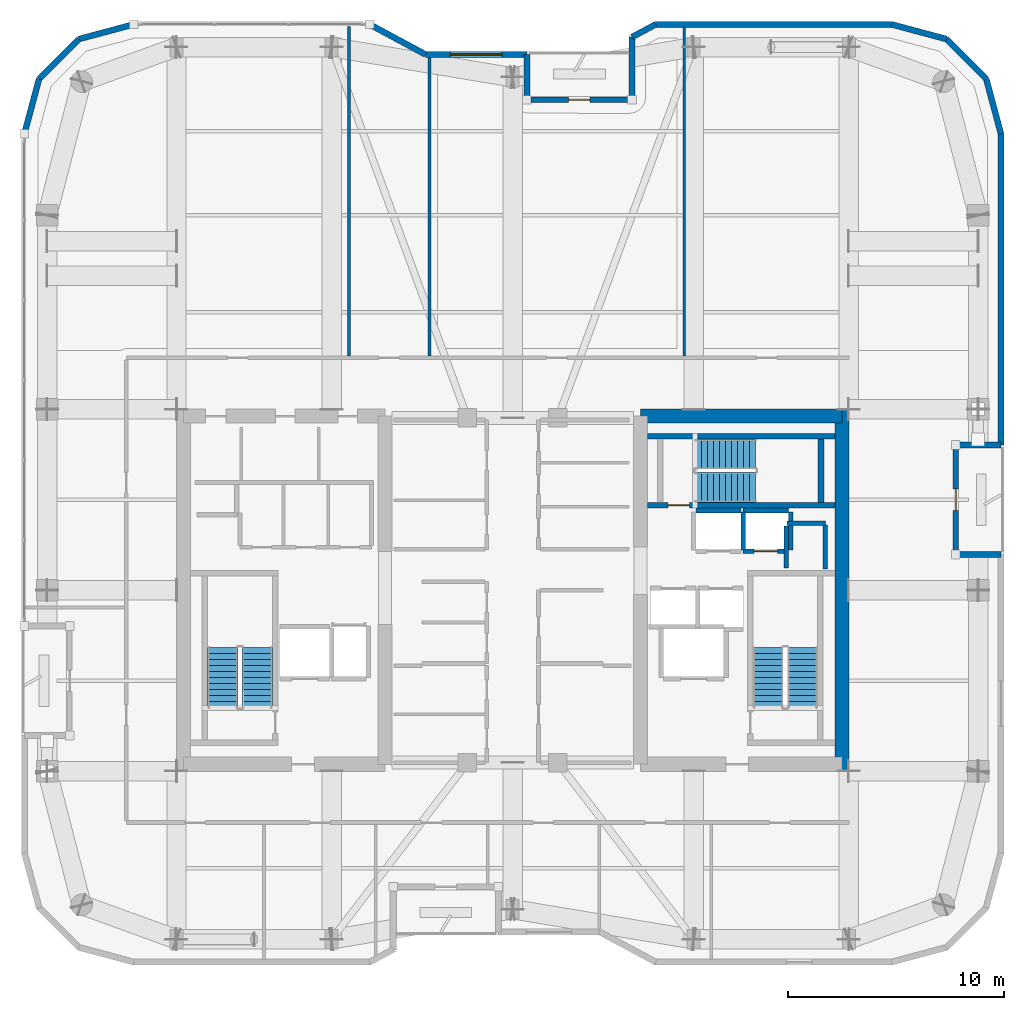
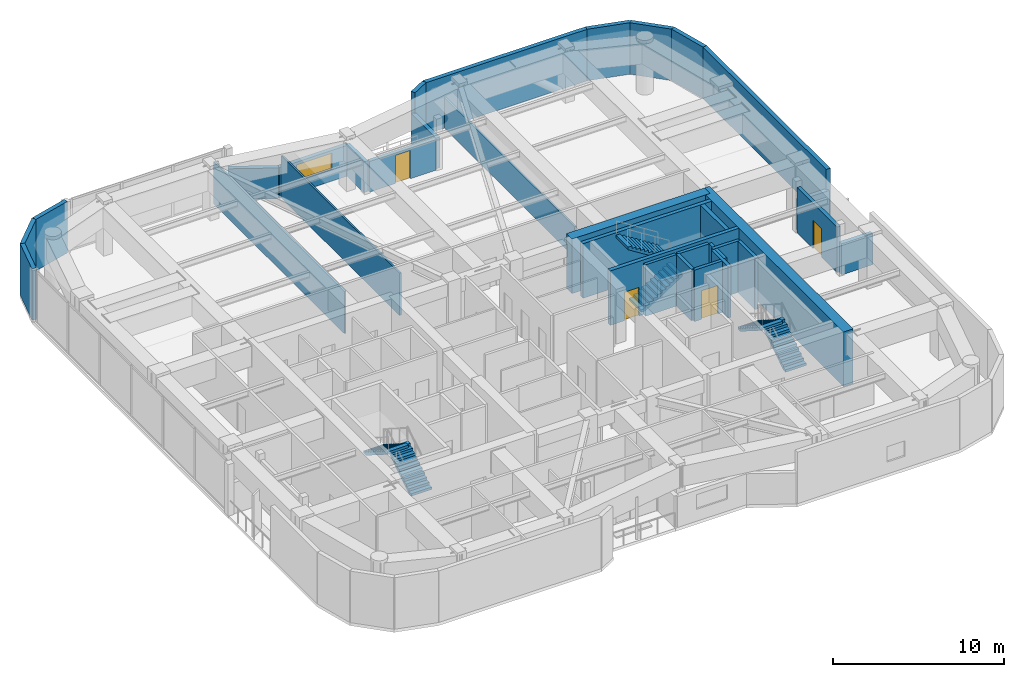
# One storey, part 18 of 21: 33 walls, 6 stair flights, 4 doors, 1 window, 5 openings, 3 elements without a shape of their own.
"""IFC4 building model written with IfcOpenShell, lengths in metres."""

from ifc_helpers import new_model, si_unit, direction, frame, frame_2d, origin, place, context, subcontext, project, spatial, polyline, rectangle, outline, extrude, material, layer, layer_set, type_object, element, fill, aggregate, save


model = new_model("IFC4")

# Units and contexts
model_context = context("Model", 3, precision=1e-05, world=origin(), true_north=direction((0.0, 1.0)))
body_context = subcontext(model_context, "Body", "Model", "MODEL_VIEW")
ifc_project = project(units=[si_unit("LENGTHUNIT", "METRE"), si_unit("AREAUNIT", "SQUARE_METRE"), si_unit("VOLUMEUNIT", "CUBIC_METRE"), si_unit("PLANEANGLEUNIT", "RADIAN"), si_unit("MASSUNIT", "GRAM", prefix="KILO")], contexts=[model_context])

# Site, building, storey
site_placement = place(None, origin())
site = spatial("IfcSite", under=ifc_project, at=site_placement, CompositionType="ELEMENT")
building_placement = place(site_placement, origin())
building = spatial("IfcBuilding", under=site, at=building_placement, Name="Kiyonajd Concourse Tower", CompositionType="ELEMENT")
storey_placement = place(building_placement, frame((0.0, 0.0, 251.10009765625)))
storey = spatial("IfcBuildingStorey", under=building, at=storey_placement, Name="L63", CompositionType="ELEMENT", Elevation=251.10009765625)

# Walls
ifc_material_1 = material(Name="Concrete C60/75", Category="concrete")
ifc_layer_1 = layer(ifc_material_1, 0.64990234375)
ifc_layer_set_1 = layer_set([ifc_layer_1], Name="Concrete C60/75")
wall_type_1 = type_object("IfcWallType", Name="WL-CORE-650", PredefinedType="SHEAR", material=ifc_layer_set_1)
wall_1_placement = place(storey_placement, frame((63.27490234375, 27.60009765625, 0.0), z_axis=(0.0, 0.0, 1.0), x_axis=(0.0, 1.0, 0.0)))
element("IfcWall", 1, at=wall_1_placement, inside=storey, type_object=wall_type_1, Name="L63 East Core Outer Shear Wall", PredefinedType="SHEAR", context=body_context, shape_type="SweptSolid", body=[
    extrude(rectangle(XDim=16.7998046875, YDim=0.64990234375, at=frame_2d((8.39990234375, 0.0))), origin(), (0.0, 0.0, 1.0), 3.89990234375),
])
wall_2_placement = place(storey_placement, frame((53.925048828125, 44.074951171875, 0.0), z_axis=(0.0, 0.0, 1.0), x_axis=(1.0, 0.0, 0.0)))
element("IfcWall", 2, at=wall_2_placement, inside=storey, type_object=wall_type_1, Name="L63 East Core North Shear Wall", PredefinedType="SHEAR", context=body_context, shape_type="SweptSolid", body=[
    extrude(rectangle(XDim=9.349853515625, YDim=0.64990234375, at=frame_2d((4.6748046875, 0.0))), origin(), (0.0, 0.0, 1.0), 3.89990234375),
])
ifc_material_2 = material(Name="Precast concrete C50/60", Category="concrete")
ifc_layer_2 = layer(ifc_material_2, 0.280029296875)
ifc_layer_set_2 = layer_set([ifc_layer_2], Name="Precast concrete C50/60")
wall_type_2 = type_object("IfcWallType", Name="WL-EXT-280", PredefinedType="SOLIDWALL", material=ifc_layer_set_2)
wall_3_placement = place(storey_placement, frame((25.340087890625, 57.181640625, 0.0), z_axis=(0.0, 0.0, 1.0), x_axis=(0.2588904131, 0.965906700466, 0.0)))
element("IfcWall", 3, at=wall_3_placement, inside=storey, type_object=wall_type_2, Name="L63 Exterior Concrete Frame Wall 06", PredefinedType="SOLIDWALL", context=body_context, shape_type="SweptSolid", body=[
    extrude(rectangle(XDim=2.6357421875, YDim=0.280029296875, at=frame_2d((1.31787109375, 0.0))), origin(), (0.0, 0.0, 1.0), 3.679931640625),
])
wall_4_placement = place(storey_placement, frame((26.0224609375, 59.7275390625, 0.0), z_axis=(0.0, 0.0, 1.0), x_axis=(0.707153437963, 0.707060121331, 0.0)))
element("IfcWall", 4, at=wall_4_placement, inside=storey, type_object=wall_type_2, Name="L63 Exterior Concrete Frame Wall 07", PredefinedType="SOLIDWALL", context=body_context, shape_type="SweptSolid", body=[
    extrude(rectangle(XDim=2.6162109375, YDim=0.280029296875, at=frame_2d((1.30810546875, 0.0))), origin(), (0.0, 0.0, 1.0), 3.679931640625),
])
wall_5_placement = place(storey_placement, frame((27.87255859375, 61.577392578125, 0.0), z_axis=(0.0, 0.0, 1.0), x_axis=(0.965883534663, 0.258976828051, 0.0)))
element("IfcWall", 5, at=wall_5_placement, inside=storey, type_object=wall_type_2, Name="L63 Exterior Concrete Frame Wall 08", PredefinedType="SOLIDWALL", context=body_context, shape_type="SweptSolid", body=[
    extrude(rectangle(XDim=2.6357421875, YDim=0.280029296875, at=frame_2d((1.31787109375, 0.0))), origin(), (0.0, 0.0, 1.0), 3.679931640625),
])
wall_6_placement = place(storey_placement, frame((41.36474609375, 62.260009765625, 0.0), z_axis=(0.0, 0.0, 1.0), x_axis=(0.880473754814, -0.474094892488, 0.0)))
element("IfcWall", 6, at=wall_6_placement, inside=storey, type_object=wall_type_2, Name="L63 Exterior Concrete Frame Wall 10", PredefinedType="SOLIDWALL", context=body_context, shape_type="SweptSolid", body=[
    extrude(rectangle(XDim=2.952880859375, YDim=0.280029296875, at=frame_2d((1.4765625, 0.0))), origin(), (0.0, 0.0, 1.0), 2.19482421875),
])

# Wall, opening, window
wall_7_placement = place(storey_placement, frame((43.964599609375, 60.860107421875, 0.0), z_axis=(0.0, 0.0, 1.0), x_axis=(1.0, 0.0, 0.0)))
wall_7 = element("IfcWall", 7, at=wall_7_placement, inside=storey, type_object=wall_type_2, Name="L63 Exterior Concrete Frame Wall 11", PredefinedType="SOLIDWALL", context=body_context, shape_type="SweptSolid", body=[
    extrude(rectangle(XDim=4.6953125, YDim=0.280029296875, at=frame_2d((2.34765625, 0.0))), origin(), (0.0, 0.0, 1.0), 2.19482421875),
])
opening_1_placement = place(wall_7_placement, frame((1.14794921875, 0.0, 0.85009765625)))
opening_1 = element("IfcOpeningElement", 8, at=opening_1_placement, cuts=wall_7, Name="Opening WN4", PredefinedType="OPENING", context=body_context, shape_type="SweptSolid", body=[
    extrude(rectangle(XDim=2.39990234375, YDim=1.14990234375, at=frame_2d((1.199951171875, 0.574951171875))), frame((0.0, 0.14990234375, 0.0), z_axis=(0.0, -1.0, 0.0), x_axis=(1.0, 0.0, 0.0)), (0.0, 0.0, 1.0), 0.300048828125),
])
ifc_material_3 = material(Name="Double Low-E Insulated Glass", Category="glass")
window_type = type_object("IfcWindowType", Name="WN-VIS-2400x1150", PartitioningType="SINGLE_PANEL", PredefinedType="WINDOW", material=ifc_material_3)
window_placement = place(opening_1_placement, origin())
window = element("IfcWindow", 9, at=window_placement, inside=storey, type_object=window_type, Name="L63 Modular Facade Vision Window 11", OverallHeight=1.14990234375, OverallWidth=2.39990234375, PartitioningType="SINGLE_PANEL", PredefinedType="WINDOW", context=body_context, shape_type="SweptSolid", body=[
    extrude(rectangle(XDim=2.39990234375, YDim=1.14990234375, at=frame_2d((1.199951171875, 0.574951171875))), frame((0.0, 0.030029296875, 0.0), z_axis=(0.0, -1.0, 0.0), x_axis=(1.0, 0.0, 0.0)), (0.0, 0.0, 1.0), 0.06005859375),
])
fill(opening_1, window)

# Walls
wall_8_placement = place(storey_placement, frame((48.659912109375, 60.860107421875, 0.0), z_axis=(0.0, 0.0, 1.0), x_axis=(0.0, -1.0, 0.0)))
element("IfcWall", 10, at=wall_8_placement, inside=storey, type_object=wall_type_2, Name="L63 Exterior Concrete Frame Wall 12", PredefinedType="SOLIDWALL", context=body_context, shape_type="SweptSolid", body=[
    extrude(rectangle(XDim=2.10009765625, YDim=0.280029296875, at=frame_2d((1.050048828125, 0.0))), origin(), (0.0, 0.0, 1.0), 2.19482421875),
])
wall_9_placement = place(storey_placement, frame((53.5400390625, 58.760009765625, 0.0), z_axis=(0.0, 0.0, 1.0), x_axis=(0.0, 1.0, 0.0)))
element("IfcWall", 11, at=wall_9_placement, inside=storey, type_object=wall_type_2, Name="L63 Exterior Concrete Frame Wall 14", PredefinedType="SOLIDWALL", context=body_context, shape_type="SweptSolid", body=[
    extrude(rectangle(XDim=2.910400390625, YDim=0.280029296875, at=frame_2d((1.455078125, 0.0))), origin(), (0.0, 0.0, 1.0), 2.19482421875),
])
wall_10_placement = place(storey_placement, frame((53.5400390625, 61.67041015625, 0.0), z_axis=(0.0, 0.0, 1.0), x_axis=(0.880515214249, 0.474017887296, 0.0)))
element("IfcWall", 12, at=wall_10_placement, inside=storey, type_object=wall_type_2, Name="L63 Exterior Concrete Frame Wall 15", PredefinedType="SOLIDWALL", context=body_context, shape_type="SweptSolid", body=[
    extrude(rectangle(XDim=1.243896484375, YDim=0.280029296875, at=frame_2d((0.6220703125, 0.0))), origin(), (0.0, 0.0, 1.0), 3.679931640625),
])
wall_11_placement = place(storey_placement, frame((54.63525390625, 62.260009765625, 0.0), z_axis=(0.0, 0.0, 1.0), x_axis=(1.0, 0.0, 0.0)))
element("IfcWall", 13, at=wall_11_placement, inside=storey, type_object=wall_type_2, Name="L63 Exterior Concrete Frame Wall 16", PredefinedType="SOLIDWALL", context=body_context, shape_type="SweptSolid", body=[
    extrude(rectangle(XDim=10.9462890625, YDim=0.280029296875, at=frame_2d((5.47314453125, 0.0))), origin(), (0.0, 0.0, 1.0), 3.679931640625),
])
wall_12_placement = place(storey_placement, frame((65.58154296875, 62.260009765625, 0.0), z_axis=(0.0, 0.0, 1.0), x_axis=(0.965883534663, -0.258976828051, 0.0)))
element("IfcWall", 14, at=wall_12_placement, inside=storey, type_object=wall_type_2, Name="L63 Exterior Concrete Frame Wall 17", PredefinedType="SOLIDWALL", context=body_context, shape_type="SweptSolid", body=[
    extrude(rectangle(XDim=2.6357421875, YDim=0.280029296875, at=frame_2d((1.31787109375, 0.0))), origin(), (0.0, 0.0, 1.0), 3.679931640625),
])
wall_13_placement = place(storey_placement, frame((68.12744140625, 61.577392578125, 0.0), z_axis=(0.0, 0.0, 1.0), x_axis=(0.707153437963, -0.707060121331, 0.0)))
element("IfcWall", 15, at=wall_13_placement, inside=storey, type_object=wall_type_2, Name="L63 Exterior Concrete Frame Wall 18", PredefinedType="SOLIDWALL", context=body_context, shape_type="SweptSolid", body=[
    extrude(rectangle(XDim=2.6162109375, YDim=0.280029296875, at=frame_2d((1.30810546875, 0.0))), origin(), (0.0, 0.0, 1.0), 3.679931640625),
])
wall_14_placement = place(storey_placement, frame((69.9775390625, 59.7275390625, 0.0), z_axis=(0.0, 0.0, 1.0), x_axis=(0.2588904131, -0.965906700466, 0.0)))
element("IfcWall", 16, at=wall_14_placement, inside=storey, type_object=wall_type_2, Name="L63 Exterior Concrete Frame Wall 19", PredefinedType="SOLIDWALL", context=body_context, shape_type="SweptSolid", body=[
    extrude(rectangle(XDim=2.6357421875, YDim=0.280029296875, at=frame_2d((1.31787109375, 0.0))), origin(), (0.0, 0.0, 1.0), 3.679931640625),
])
wall_15_placement = place(storey_placement, frame((70.659912109375, 57.181640625, 0.0), z_axis=(0.0, 0.0, 1.0), x_axis=(0.0, -1.0, 0.0)))
element("IfcWall", 17, at=wall_15_placement, inside=storey, type_object=wall_type_2, Name="L63 Exterior Concrete Frame Wall 20", PredefinedType="SOLIDWALL", context=body_context, shape_type="SweptSolid", body=[
    extrude(rectangle(XDim=14.441650390625, YDim=0.280029296875, at=frame_2d((7.220703125, 0.0))), origin(), (0.0, 0.0, 1.0), 3.679931640625),
])
for number, where, z_axis, x_axis, name in (
    (18, (70.659912109375, 42.739990234375, 0.0), (0.0, 0.0, 1.0), (-1.0, 0.0, 0.0), "L63 Exterior Concrete Frame Wall 21"),
    (19, (68.56005859375, 37.659912109375, 0.0), (0.0, 0.0, 1.0), (1.0, 0.0, 0.0), "L63 Exterior Concrete Frame Wall 23"),
):
    element("IfcWall", number, at=place(storey_placement, frame(where, z_axis=z_axis, x_axis=x_axis)), inside=storey, type_object=wall_type_2, Name=name, PredefinedType="SOLIDWALL", context=body_context, shape_type="SweptSolid", body=[
        extrude(rectangle(XDim=2.099853515625, YDim=0.280029296875, at=frame_2d((1.0498046875, 0.0))), origin(), (0.0, 0.0, 1.0), 2.21484375),
    ])

# Wall, opening, door
ifc_layer_3 = layer(ifc_material_2, 0.239990234375)
ifc_layer_set_3 = layer_set([ifc_layer_3], Name="Precast concrete C50/60")
wall_type_3 = type_object("IfcWallType", Name="WL-LOG-240", PredefinedType="SOLIDWALL", material=ifc_layer_set_3)
wall_16_placement = place(storey_placement, frame((48.85498046875, 58.760009765625, 0.0), z_axis=(0.0, 0.0, 1.0), x_axis=(1.0, 0.0, 0.0)))
wall_16 = element("IfcWall", 20, at=wall_16_placement, inside=storey, type_object=wall_type_3, Name="L63 Recessed Loggia Thermal Wall LOG-N", PredefinedType="SOLIDWALL", context=body_context, shape_type="SweptSolid", body=[
    extrude(rectangle(XDim=4.489990234375, YDim=0.239990234375, at=frame_2d((2.2451171875, 0.0))), origin(), (0.0, 0.0, 1.0), 2.19482421875),
])
opening_2_placement = place(wall_16_placement, frame((1.7451171875, 0.0, 0.0)))
opening_2 = element("IfcOpeningElement", 21, at=opening_2_placement, cuts=wall_16, Name="Opening DL1", PredefinedType="OPENING", context=body_context, shape_type="SweptSolid", body=[
    extrude(rectangle(XDim=1.0, YDim=2.02001953125, at=frame_2d((0.5, 1.010009765625))), frame((0.0, 0.1298828125, 0.0), z_axis=(0.0, -1.0, 0.0), x_axis=(1.0, 0.0, 0.0)), (0.0, 0.0, 1.0), 0.260009765625),
])
ifc_material_4 = material(Name="Thermally Broken Anodised Aluminium", Category="aluminium")
door_type_1 = type_object("IfcDoorType", Name="DR-LOG-1000", OperationType="NOTDEFINED", PredefinedType="DOOR", material=ifc_material_4)
door_1_placement = place(opening_2_placement, origin())
door_1 = element("IfcDoor", 22, at=door_1_placement, inside=storey, type_object=door_type_1, Name="L63 Engawa Loggia Access Door LOG-N", OperationType="SINGLE_SWING_RIGHT", OverallHeight=2.02001953125, OverallWidth=1.0, PredefinedType="DOOR", context=body_context, shape_type="SweptSolid", body=[
    extrude(rectangle(XDim=1.0, YDim=2.02001953125, at=frame_2d((0.5, 1.010009765625))), frame((0.0, 0.02490234375, 0.0), z_axis=(0.0, -1.0, 0.0), x_axis=(1.0, 0.0, 0.0)), (0.0, 0.0, 1.0), 0.050048828125),
])
fill(opening_2, door_1)

wall_17_placement = place(storey_placement, frame((68.56005859375, 42.544921875, 0.0), z_axis=(0.0, 0.0, 1.0), x_axis=(0.0, -1.0, 0.0)))
wall_17 = element("IfcWall", 23, at=wall_17_placement, inside=storey, type_object=wall_type_3, Name="L63 Recessed Loggia Thermal Wall LOG-E", PredefinedType="SOLIDWALL", context=body_context, shape_type="SweptSolid", body=[
    extrude(rectangle(XDim=4.68994140625, YDim=0.239990234375, at=frame_2d((2.344970703125, 0.0))), origin(), (0.0, 0.0, 1.0), 3.247802734375),
])
opening_3_placement = place(wall_17_placement, frame((1.844970703125, 0.0, 0.0)))
opening_3 = element("IfcOpeningElement", 24, at=opening_3_placement, cuts=wall_17, Name="Opening DL1", PredefinedType="OPENING", context=body_context, shape_type="SweptSolid", body=[
    extrude(rectangle(XDim=1.0, YDim=2.02001953125, at=frame_2d((0.5, 1.010009765625))), frame((0.0, 0.1298828125, 0.0), z_axis=(0.0, -1.0, 0.0), x_axis=(1.0, 0.0, 0.0)), (0.0, 0.0, 1.0), 0.260009765625),
])
door_2_placement = place(opening_3_placement, origin())
door_2 = element("IfcDoor", 25, at=door_2_placement, inside=storey, type_object=door_type_1, Name="L63 Engawa Loggia Access Door LOG-E", OperationType="SINGLE_SWING_LEFT", OverallHeight=2.02001953125, OverallWidth=1.0, PredefinedType="DOOR", context=body_context, shape_type="SweptSolid", body=[
    extrude(rectangle(XDim=1.0, YDim=2.02001953125, at=frame_2d((0.5, 1.010009765625))), frame((0.0, 0.02490234375, 0.0), z_axis=(0.0, -1.0, 0.0), x_axis=(1.0, 0.0, 0.0)), (0.0, 0.0, 1.0), 0.050048828125),
])
fill(opening_3, door_2)

# Walls
ifc_material_5 = material(Name="Gypsum Board on Cold-Formed Steel Stud", Category="steel")
ifc_layer_4 = layer(ifc_material_5, 0.125)
ifc_layer_set_4 = layer_set([ifc_layer_4], Name="Gypsum Board on Cold-Formed Steel Stud")
wall_type_4 = type_object("IfcWallType", Name="WL-PART-125", PredefinedType="PARTITIONING", material=ifc_layer_set_4)
wall_18_placement = place(storey_placement, frame((40.409912109375, 46.866943359375, 0.0), z_axis=(0.0, 0.0, 1.0), x_axis=(0.0, 1.0, 0.0)))
element("IfcWall", 26, at=wall_18_placement, inside=storey, type_object=wall_type_4, Name="L63 Interior Partition Wall", PredefinedType="PARTITIONING", context=body_context, shape_type="SweptSolid", body=[
    extrude(rectangle(XDim=15.298095703125, YDim=0.125, at=frame_2d((7.64892578125, 0.0))), origin(), (0.0, 0.0, 1.0), 3.02294921875),
])
wall_19_placement = place(storey_placement, frame((44.139892578125, 46.866943359375, 0.0), z_axis=(0.0, 0.0, 1.0), x_axis=(0.0, 1.0, 0.0)))
element("IfcWall", 27, at=wall_19_placement, inside=storey, type_object=wall_type_4, Name="L63 Interior Partition Wall", PredefinedType="PARTITIONING", context=body_context, shape_type="SweptSolid", body=[
    extrude(rectangle(XDim=13.858154296875, YDim=0.125, at=frame_2d((6.92919921875, 0.0))), origin(), (0.0, 0.0, 1.0), 3.02294921875),
])
wall_20_placement = place(storey_placement, frame((55.969970703125, 46.866943359375, 0.0), z_axis=(0.0, 0.0, 1.0), x_axis=(0.0, 1.0, 0.0)))
element("IfcWall", 28, at=wall_20_placement, inside=storey, type_object=wall_type_4, Name="L63 Interior Partition Wall", PredefinedType="PARTITIONING", context=body_context, shape_type="SweptSolid", body=[
    extrude(rectangle(XDim=15.258056640625, YDim=0.125, at=frame_2d((7.62890625, 0.0))), origin(), (0.0, 0.0, 1.0), 2.19482421875),
])
ifc_layer_5 = layer(ifc_material_5, 0.2099609375)
ifc_layer_set_5 = layer_set([ifc_layer_5], Name="Gypsum Board on Cold-Formed Steel Stud")
wall_type_5 = type_object("IfcWallType", Name="WL-SHAFT-210", PredefinedType="PARTITIONING", material=ifc_layer_set_5)
wall_21_placement = place(storey_placement, frame((60.719970703125, 39.10009765625, 0.0), z_axis=(0.0, 0.0, 1.0), x_axis=(1.0, 0.0, 0.0)))
element("IfcWall", 29, at=wall_21_placement, inside=storey, type_object=wall_type_5, Name="L63 Shaft Enclosure Wall", PredefinedType="PARTITIONING", context=body_context, shape_type="SweptSolid", body=[
    extrude(rectangle(XDim=1.800048828125, YDim=0.2099609375, at=frame_2d((0.89990234375, 0.0))), origin(), (0.0, 0.0, 1.0), 3.679931640625),
])
wall_22_placement = place(storey_placement, frame((60.699951171875, 37.02001953125, 0.0), z_axis=(0.0, 0.0, 1.0), x_axis=(0.0, 1.0, 0.0)))
element("IfcWall", 30, at=wall_22_placement, inside=storey, type_object=wall_type_5, Name="L63 Shaft Enclosure Wall", PredefinedType="PARTITIONING", context=body_context, shape_type="SweptSolid", body=[
    extrude(rectangle(XDim=1.9599609375, YDim=0.2099609375, at=frame_2d((0.97998046875, 0.0))), origin(), (0.0, 0.0, 1.0), 3.679931640625),
])
wall_23_placement = place(storey_placement, frame((62.5, 36.97998046875, 0.0), z_axis=(0.0, 0.0, 1.0), x_axis=(0.0, 1.0, 0.0)))
element("IfcWall", 31, at=wall_23_placement, inside=storey, type_object=wall_type_5, Name="L63 Shaft Enclosure Wall", PredefinedType="PARTITIONING", context=body_context, shape_type="SweptSolid", body=[
    extrude(rectangle(XDim=2.0400390625, YDim=0.2099609375, at=frame_2d((1.02001953125, 0.0))), origin(), (0.0, 0.0, 1.0), 3.679931640625),
])
wall_24_placement = place(storey_placement, frame((56.5, 39.699951171875, 0.0), z_axis=(0.0, 0.0, 1.0), x_axis=(1.0, 0.0, 0.0)))
element("IfcWall", 32, at=wall_24_placement, inside=storey, type_object=wall_type_5, Name="L63 Shaft Enclosure Wall", PredefinedType="PARTITIONING", context=body_context, shape_type="SweptSolid", body=[
    extrude(rectangle(XDim=2.10009765625, YDim=0.2099609375, at=frame_2d((1.050048828125, 0.0))), origin(), (0.0, 0.0, 1.0), 3.679931640625),
])
wall_25_placement = place(storey_placement, frame((58.699951171875, 37.860107421875, 0.0), z_axis=(0.0, 0.0, 1.0), x_axis=(0.0, 1.0, 0.0)))
element("IfcWall", 33, at=wall_25_placement, inside=storey, type_object=wall_type_5, Name="L63 Shaft Enclosure Wall", PredefinedType="PARTITIONING", context=body_context, shape_type="SweptSolid", body=[
    extrude(rectangle(XDim=1.77978515625, YDim=0.2099609375, at=frame_2d((0.889892578125, 0.0))), origin(), (0.0, 0.0, 1.0), 3.679931640625),
])

# Wall, opening, door
wall_26_placement = place(storey_placement, frame((58.699951171875, 37.800048828125, 0.0), z_axis=(0.0, 0.0, 1.0), x_axis=(1.0, 0.0, 0.0)))
wall_26 = element("IfcWall", 34, at=wall_26_placement, inside=storey, type_object=wall_type_5, Name="L63 Shaft Enclosure Wall", PredefinedType="PARTITIONING", context=body_context, shape_type="SweptSolid", body=[
    extrude(rectangle(XDim=2.10009765625, YDim=0.2099609375, at=frame_2d((1.050048828125, 0.0))), origin(), (0.0, 0.0, 1.0), 3.679931640625),
])
opening_4_placement = place(wall_26_placement, frame((0.5, 0.0, 0.0)))
opening_4 = element("IfcOpeningElement", 35, at=opening_4_placement, cuts=wall_26, Name="Opening LD1", PredefinedType="OPENING", context=body_context, shape_type="SweptSolid", body=[
    extrude(rectangle(XDim=1.10009765625, YDim=2.0400390625, at=frame_2d((0.550048828125, 1.02001953125))), frame((0.0, 0.114990234375, 0.0), z_axis=(0.0, -1.0, 0.0), x_axis=(1.0, 0.0, 0.0)), (0.0, 0.0, 1.0), 0.22998046875),
])
ifc_material_6 = material(Name="Brushed Stainless Steel Cab Assembly", Category="steel")
door_type_2 = type_object("IfcDoorType", Name="DR-LD-1100", OperationType="DOUBLE_DOOR_SLIDING", PredefinedType="DOOR", material=ifc_material_6)
door_3_placement = place(opening_4_placement, origin())
door_3 = element("IfcDoor", 36, at=door_3_placement, inside=storey, type_object=door_type_2, Name="L63 Lift PL-H4 Sliding Landing Door", OperationType="DOUBLE_DOOR_SLIDING", OverallHeight=2.0400390625, OverallWidth=1.10009765625, PredefinedType="DOOR", context=body_context, shape_type="SweptSolid", body=[
    extrude(rectangle(XDim=1.10009765625, YDim=2.0400390625, at=frame_2d((0.550048828125, 1.02001953125))), frame((0.0, 0.02490234375, 0.0), z_axis=(0.0, -1.0, 0.0), x_axis=(1.0, 0.0, 0.0)), (0.0, 0.0, 1.0), 0.050048828125),
])
fill(opening_4, door_3)

# Walls
wall_27_placement = place(storey_placement, frame((58.699951171875, 39.699951171875, 0.0), z_axis=(0.0, 0.0, 1.0), x_axis=(1.0, 0.0, 0.0)))
element("IfcWall", 37, at=wall_27_placement, inside=storey, type_object=wall_type_5, Name="L63 Shaft Enclosure Wall", PredefinedType="PARTITIONING", context=body_context, shape_type="SweptSolid", body=[
    extrude(rectangle(XDim=2.10009765625, YDim=0.2099609375, at=frame_2d((1.050048828125, 0.0))), origin(), (0.0, 0.0, 1.0), 3.679931640625),
])
wall_28_placement = place(storey_placement, frame((60.89990234375, 37.860107421875, 0.0), z_axis=(0.0, 0.0, 1.0), x_axis=(0.0, 1.0, 0.0)))
element("IfcWall", 38, at=wall_28_placement, inside=storey, type_object=wall_type_5, Name="L63 Shaft Enclosure Wall", PredefinedType="PARTITIONING", context=body_context, shape_type="SweptSolid", body=[
    extrude(rectangle(XDim=1.77978515625, YDim=0.2099609375, at=frame_2d((0.889892578125, 0.0))), origin(), (0.0, 0.0, 1.0), 3.679931640625),
])

# Wall, opening, door
ifc_material_7 = material(Name="Concrete C50/60", Category="concrete")
ifc_layer_6 = layer(ifc_material_7, 0.260009765625)
ifc_layer_set_6 = layer_set([ifc_layer_6], Name="Concrete C50/60")
wall_type_6 = type_object("IfcWallType", Name="WL-STAIR-260", PredefinedType="SHEAR", material=ifc_layer_set_6)
wall_29_placement = place(storey_placement, frame((54.25, 39.949951171875, 0.0), z_axis=(0.0, 0.0, 1.0), x_axis=(1.0, 0.0, 0.0)))
wall_29 = element("IfcWall", 39, at=wall_29_placement, inside=storey, type_object=wall_type_6, Name="L63 Stair ST3 Structural South Wall", PredefinedType="SHEAR", context=body_context, shape_type="SweptSolid", body=[
    extrude(rectangle(XDim=8.699951171875, YDim=0.260009765625, at=frame_2d((4.35009765625, 0.0))), origin(), (0.0, 0.0, 1.0), 3.89990234375),
])
opening_5_placement = place(wall_29_placement, frame((0.949951171875, 0.0, 0.0)))
opening_5 = element("IfcOpeningElement", 40, at=opening_5_placement, cuts=wall_29, Name="Opening DF1", PredefinedType="OPENING", context=body_context, shape_type="SweptSolid", body=[
    extrude(rectangle(XDim=1.0, YDim=2.0400390625, at=frame_2d((0.5, 1.02001953125))), frame((0.0, 0.139892578125, 0.0), z_axis=(0.0, -1.0, 0.0), x_axis=(1.0, 0.0, 0.0)), (0.0, 0.0, 1.0), 0.280029296875),
])
door_type_3 = type_object("IfcDoorType", Name="DR-FD90-1000", OperationType="NOTDEFINED", PredefinedType="DOOR", material=ifc_material_6)
door_4_placement = place(opening_5_placement, origin())
door_4 = element("IfcDoor", 41, at=door_4_placement, inside=storey, type_object=door_type_3, Name="L63 Stair ST3 Enclosure Door", OperationType="SINGLE_SWING_LEFT", OverallHeight=2.0400390625, OverallWidth=1.0, PredefinedType="DOOR", context=body_context, shape_type="SweptSolid", body=[
    extrude(rectangle(XDim=1.0, YDim=2.0400390625, at=frame_2d((0.5, 1.02001953125))), frame((0.0, 0.02490234375, 0.0), z_axis=(0.0, -1.0, 0.0), x_axis=(1.0, 0.0, 0.0)), (0.0, 0.0, 1.0), 0.050048828125),
])
fill(opening_5, door_4)

# Walls
wall_30_placement = place(storey_placement, frame((54.25, 43.14990234375, 0.0), z_axis=(0.0, 0.0, 1.0), x_axis=(1.0, 0.0, 0.0)))
element("IfcWall", 42, at=wall_30_placement, inside=storey, type_object=wall_type_6, Name="L63 Stair ST3 Structural North Wall", PredefinedType="SHEAR", context=body_context, shape_type="SweptSolid", body=[
    extrude(rectangle(XDim=8.699951171875, YDim=0.260009765625, at=frame_2d((4.35009765625, 0.0))), origin(), (0.0, 0.0, 1.0), 3.89990234375),
])
wall_31_placement = place(storey_placement, frame((62.31005859375, 40.080078125, 0.0), z_axis=(0.0, 0.0, 1.0), x_axis=(0.0, 1.0, 0.0)))
element("IfcWall", 43, at=wall_31_placement, inside=storey, type_object=wall_type_6, Name="L63 Stair ST3 Structural East Wall", PredefinedType="SHEAR", context=body_context, shape_type="SweptSolid", body=[
    extrude(rectangle(XDim=2.93994140625, YDim=0.260009765625, at=frame_2d((1.469970703125, 0.0))), origin(), (0.0, 0.0, 1.0), 3.89990234375),
])

# Stair, stair flights
ifc_material_8 = material(Name="Concrete C40/50", Category="concrete")
stair_type = type_object("IfcStairType", Name="ST-DLG-22R", PredefinedType="HALF_TURN_STAIR", material=ifc_material_8)
stair_1_placement = place(storey_placement, origin())
stair_1 = element("IfcStair", 44, at=stair_1_placement, inside=storey, type_object=stair_type, Name="L63 Protected Exit Stair ST1", PredefinedType="HALF_TURN_STAIR")
stair_flight_type = type_object("IfcStairFlightType", Name="SF-STR-22R", PredefinedType="STRAIGHT", material=ifc_material_8)
stair_flight_1_placement = place(storey_placement, frame((36.14990234375, 30.550048828125, 0.0), z_axis=(0.0, 0.0, 1.0), x_axis=(0.0, 1.0, 0.0)))
stair_flight_1 = element("IfcStairFlight", 45, at=stair_flight_1_placement, type_object=stair_flight_type, Name="ST1 flight 1", NumberOfRisers=11, NumberOfTreads=10, PredefinedType="STRAIGHT", RiserHeight=0.177272727, TreadLength=0.28, context=body_context, shape_type="SweptSolid", body=[
    extrude(outline(polyline([(0.0, 0.0), (0.0, 0.17724609375), (0.280029296875, 0.17724609375), (0.280029296875, 0.3544921875), (0.56005859375, 0.3544921875), (0.56005859375, 0.53173828125), (0.840087890625, 0.53173828125), (0.840087890625, 0.708984375), (1.1201171875, 0.708984375), (1.1201171875, 0.886474609375), (1.39990234375, 0.886474609375), (1.39990234375, 1.063720703125), (1.679931640625, 1.063720703125), (1.679931640625, 1.240966796875), (1.9599609375, 1.240966796875), (1.9599609375, 1.418212890625), (2.239990234375, 1.418212890625), (2.239990234375, 1.595458984375), (2.52001953125, 1.595458984375), (2.52001953125, 1.772705078125), (2.800048828125, 1.772705078125), (2.800048828125, 1.949951171875), (2.800048828125, 1.59521484375), (0.2802734375, 0.0), (0.0, 0.0)])), frame((0.0, 0.699951171875, 0.0), z_axis=(0.0, -1.0, 0.0), x_axis=(1.0, 0.0, 0.0)), (0.0, 0.0, 1.0), 1.39990234375),
])
stair_flight_2_placement = place(storey_placement, frame((34.550048828125, 33.35009765625, 1.949951171875), z_axis=(0.0, 0.0, 1.0), x_axis=(0.0, -1.0, 0.0)))
stair_flight_2 = element("IfcStairFlight", 46, at=stair_flight_2_placement, type_object=stair_flight_type, Name="ST1 flight 2", NumberOfRisers=11, NumberOfTreads=10, PredefinedType="STRAIGHT", RiserHeight=0.177272727, TreadLength=0.28, context=body_context, shape_type="SweptSolid", body=[
    extrude(outline(polyline([(0.0, 0.0), (0.0, 0.17724609375), (0.280029296875, 0.17724609375), (0.280029296875, 0.3544921875), (0.56005859375, 0.3544921875), (0.56005859375, 0.53173828125), (0.840087890625, 0.53173828125), (0.840087890625, 0.708984375), (1.1201171875, 0.708984375), (1.1201171875, 0.886474609375), (1.39990234375, 0.886474609375), (1.39990234375, 1.063720703125), (1.679931640625, 1.063720703125), (1.679931640625, 1.240966796875), (1.9599609375, 1.240966796875), (1.9599609375, 1.418212890625), (2.239990234375, 1.418212890625), (2.239990234375, 1.595458984375), (2.52001953125, 1.595458984375), (2.52001953125, 1.772705078125), (2.800048828125, 1.772705078125), (2.800048828125, 1.949951171875), (2.800048828125, 1.59521484375), (0.2802734375, 0.0), (0.0, 0.0)])), frame((0.0, 0.699951171875, 0.0), z_axis=(0.0, -1.0, 0.0), x_axis=(1.0, 0.0, 0.0)), (0.0, 0.0, 1.0), 1.39990234375),
])
aggregate(stair_1, [stair_flight_1, stair_flight_2])

stair_2_placement = place(storey_placement, origin())
stair_2 = element("IfcStair", 47, at=stair_2_placement, inside=storey, type_object=stair_type, Name="L63 Protected Exit Stair ST2", PredefinedType="HALF_TURN_STAIR")
stair_flight_3_placement = place(storey_placement, frame((61.449951171875, 30.550048828125, 0.0), z_axis=(0.0, 0.0, 1.0), x_axis=(0.0, 1.0, 0.0)))
stair_flight_3 = element("IfcStairFlight", 48, at=stair_flight_3_placement, type_object=stair_flight_type, Name="ST2 flight 1", NumberOfRisers=11, NumberOfTreads=10, PredefinedType="STRAIGHT", RiserHeight=0.177272727, TreadLength=0.28, context=body_context, shape_type="SweptSolid", body=[
    extrude(outline(polyline([(0.0, 0.0), (0.0, 0.17724609375), (0.280029296875, 0.17724609375), (0.280029296875, 0.3544921875), (0.56005859375, 0.3544921875), (0.56005859375, 0.53173828125), (0.840087890625, 0.53173828125), (0.840087890625, 0.708984375), (1.1201171875, 0.708984375), (1.1201171875, 0.886474609375), (1.39990234375, 0.886474609375), (1.39990234375, 1.063720703125), (1.679931640625, 1.063720703125), (1.679931640625, 1.240966796875), (1.9599609375, 1.240966796875), (1.9599609375, 1.418212890625), (2.239990234375, 1.418212890625), (2.239990234375, 1.595458984375), (2.52001953125, 1.595458984375), (2.52001953125, 1.772705078125), (2.800048828125, 1.772705078125), (2.800048828125, 1.949951171875), (2.800048828125, 1.59521484375), (0.2802734375, 0.0), (0.0, 0.0)])), frame((0.0, 0.699951171875, 0.0), z_axis=(0.0, -1.0, 0.0), x_axis=(1.0, 0.0, 0.0)), (0.0, 0.0, 1.0), 1.39990234375),
])
stair_flight_4_placement = place(storey_placement, frame((59.85009765625, 33.35009765625, 1.949951171875), z_axis=(0.0, 0.0, 1.0), x_axis=(0.0, -1.0, 0.0)))
stair_flight_4 = element("IfcStairFlight", 49, at=stair_flight_4_placement, type_object=stair_flight_type, Name="ST2 flight 2", NumberOfRisers=11, NumberOfTreads=10, PredefinedType="STRAIGHT", RiserHeight=0.177272727, TreadLength=0.28, context=body_context, shape_type="SweptSolid", body=[
    extrude(outline(polyline([(0.0, 0.0), (0.0, 0.17724609375), (0.280029296875, 0.17724609375), (0.280029296875, 0.3544921875), (0.56005859375, 0.3544921875), (0.56005859375, 0.53173828125), (0.840087890625, 0.53173828125), (0.840087890625, 0.708984375), (1.1201171875, 0.708984375), (1.1201171875, 0.886474609375), (1.39990234375, 0.886474609375), (1.39990234375, 1.063720703125), (1.679931640625, 1.063720703125), (1.679931640625, 1.240966796875), (1.9599609375, 1.240966796875), (1.9599609375, 1.418212890625), (2.239990234375, 1.418212890625), (2.239990234375, 1.595458984375), (2.52001953125, 1.595458984375), (2.52001953125, 1.772705078125), (2.800048828125, 1.772705078125), (2.800048828125, 1.949951171875), (2.800048828125, 1.59521484375), (0.2802734375, 0.0), (0.0, 0.0)])), frame((0.0, 0.699951171875, 0.0), z_axis=(0.0, -1.0, 0.0), x_axis=(1.0, 0.0, 0.0)), (0.0, 0.0, 1.0), 1.39990234375),
])
aggregate(stair_2, [stair_flight_3, stair_flight_4])

stair_3_placement = place(storey_placement, origin())
stair_3 = element("IfcStair", 50, at=stair_3_placement, inside=storey, type_object=stair_type, Name="L63 Protected Exit Stair ST3", PredefinedType="HALF_TURN_STAIR")
stair_flight_5_placement = place(storey_placement, frame((56.47998046875, 40.780029296875, 0.0), z_axis=(0.0, 0.0, 1.0), x_axis=(1.0, 0.0, 0.0)))
stair_flight_5 = element("IfcStairFlight", 51, at=stair_flight_5_placement, type_object=stair_flight_type, Name="ST3 flight 1", NumberOfRisers=11, NumberOfTreads=10, PredefinedType="STRAIGHT", RiserHeight=0.177272727, TreadLength=0.28, context=body_context, shape_type="SweptSolid", body=[
    extrude(outline(polyline([(0.0, 0.0), (0.0, 0.17724609375), (0.280029296875, 0.17724609375), (0.280029296875, 0.3544921875), (0.56005859375, 0.3544921875), (0.56005859375, 0.53173828125), (0.840087890625, 0.53173828125), (0.840087890625, 0.708984375), (1.1201171875, 0.708984375), (1.1201171875, 0.886474609375), (1.39990234375, 0.886474609375), (1.39990234375, 1.063720703125), (1.679931640625, 1.063720703125), (1.679931640625, 1.240966796875), (1.9599609375, 1.240966796875), (1.9599609375, 1.418212890625), (2.239990234375, 1.418212890625), (2.239990234375, 1.595458984375), (2.52001953125, 1.595458984375), (2.52001953125, 1.772705078125), (2.800048828125, 1.772705078125), (2.800048828125, 1.949951171875), (2.800048828125, 1.59521484375), (0.2802734375, 0.0), (0.0, 0.0)])), frame((0.0, 0.699951171875, 0.0), z_axis=(0.0, -1.0, 0.0), x_axis=(1.0, 0.0, 0.0)), (0.0, 0.0, 1.0), 1.39990234375),
])
stair_flight_6_placement = place(storey_placement, frame((59.280029296875, 42.320068359375, 1.949951171875), z_axis=(0.0, 0.0, 1.0), x_axis=(-1.0, 0.0, 0.0)))
stair_flight_6 = element("IfcStairFlight", 52, at=stair_flight_6_placement, type_object=stair_flight_type, Name="ST3 flight 2", NumberOfRisers=11, NumberOfTreads=10, PredefinedType="STRAIGHT", RiserHeight=0.177272727, TreadLength=0.28, context=body_context, shape_type="SweptSolid", body=[
    extrude(outline(polyline([(0.0, 0.0), (0.0, 0.17724609375), (0.280029296875, 0.17724609375), (0.280029296875, 0.3544921875), (0.56005859375, 0.3544921875), (0.56005859375, 0.53173828125), (0.840087890625, 0.53173828125), (0.840087890625, 0.708984375), (1.1201171875, 0.708984375), (1.1201171875, 0.886474609375), (1.39990234375, 0.886474609375), (1.39990234375, 1.063720703125), (1.679931640625, 1.063720703125), (1.679931640625, 1.240966796875), (1.9599609375, 1.240966796875), (1.9599609375, 1.418212890625), (2.239990234375, 1.418212890625), (2.239990234375, 1.595458984375), (2.52001953125, 1.595458984375), (2.52001953125, 1.772705078125), (2.800048828125, 1.772705078125), (2.800048828125, 1.949951171875), (2.800048828125, 1.59521484375), (0.2802734375, 0.0), (0.0, 0.0)])), frame((0.0, 0.699951171875, 0.0), z_axis=(0.0, -1.0, 0.0), x_axis=(1.0, 0.0, 0.0)), (0.0, 0.0, 1.0), 1.39990234375),
])
aggregate(stair_3, [stair_flight_5, stair_flight_6])

save(model, "model.ifc")
